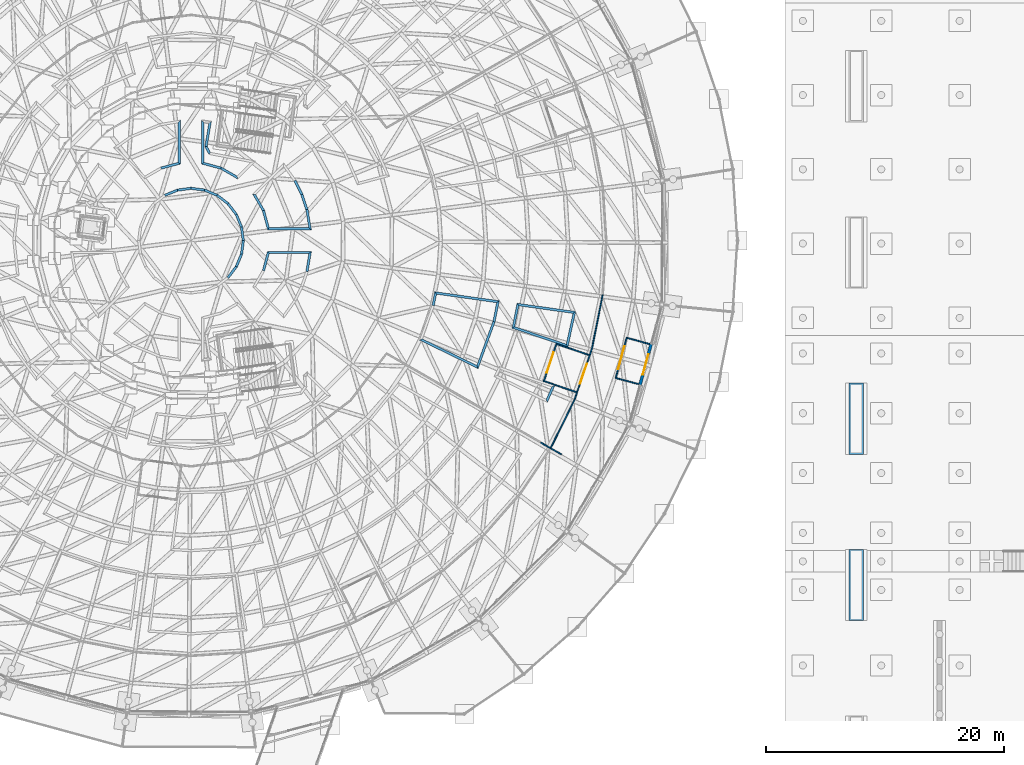
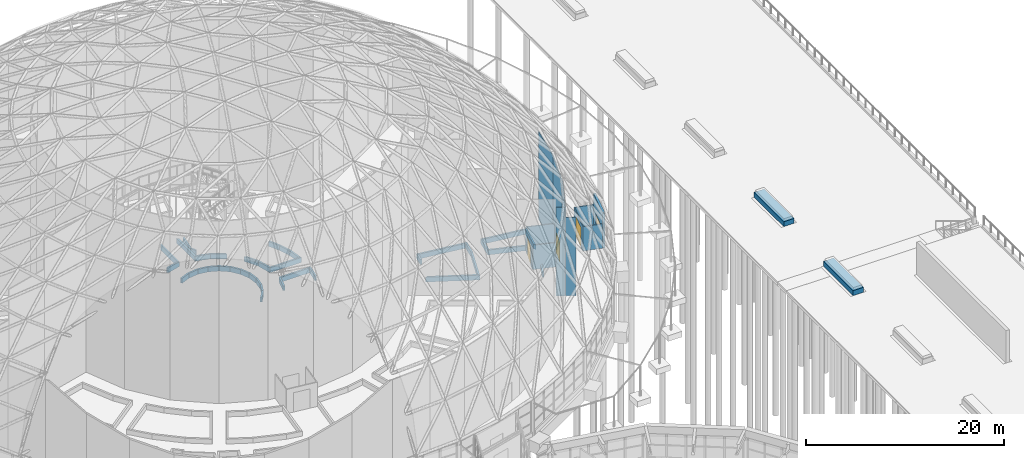
# One storey, part 177 of 226: 51 walls, 4 doors, 4 openings.
"""IFC4 building model written with IfcOpenShell, lengths in metres."""

from ifc_helpers import new_model, si_unit, direction, frame, frame_2d, origin, place, context, subcontext, project, spatial, polyline, rectangle, outline, extrude, material, layer, layer_set, type_object, element, fill, save


model = new_model("IFC4")

# Units and contexts
model_context = context("Model", 3, precision=1e-05, world=origin(), true_north=direction((0.0, 1.0)))
body_context = subcontext(model_context, "Body", "Model", "MODEL_VIEW")
ifc_project = project(units=[si_unit("LENGTHUNIT", "METRE"), si_unit("AREAUNIT", "SQUARE_METRE"), si_unit("VOLUMEUNIT", "CUBIC_METRE"), si_unit("PLANEANGLEUNIT", "RADIAN"), si_unit("MASSUNIT", "GRAM", prefix="KILO")], contexts=[model_context])

# Site, building, storey
site_placement = place(None, origin())
site = spatial("IfcSite", under=ifc_project, at=site_placement, CompositionType="ELEMENT")
building_placement = place(site_placement, origin())
building = spatial("IfcBuilding", under=site, at=building_placement, Name="Ceibo Conservatory and Research Tower", CompositionType="ELEMENT")
storey_placement = place(building_placement, origin())
storey = spatial("IfcBuildingStorey", under=building, at=storey_placement, Name="L00", CompositionType="ELEMENT", Elevation=0.0)

# Wall
ifc_material_1 = material(Name="Aluminium and glass", Category="aluminium")
ifc_layer_1 = layer(ifc_material_1, 0.10009765625)
ifc_layer_set_1 = layer_set([ifc_layer_1], Name="Aluminium and glass")
wall_type_1 = type_object("IfcWallType", Name="Airlock screen wall 100", PredefinedType="PARTITIONING", material=ifc_layer_set_1)
wall_1_placement = place(storey_placement, frame((193.680419921875, 95.913330078125, 0.0), z_axis=(0.0, 0.0, 1.0), x_axis=(-0.964806067599, 0.262962453449, 0.0)))
element("IfcWall", 1, at=wall_1_placement, inside=storey, type_object=wall_type_1, Name="Vestibule wall A-VW23", PredefinedType="PARTITIONING", context=body_context, shape_type="SweptSolid", body=[
    extrude(outline(polyline([(0.0, -0.050048828125), (1.94970703125, -0.050048828125), (2.0498046875, 0.050048828125), (0.0, 0.050048828125), (0.0, -0.050048828125)])), origin(), (0.0, 0.0, 1.0), 3.0),
])

# Wall, opening, door
wall_2_placement = place(storey_placement, frame((191.7509765625, 96.439208984375, 0.0), z_axis=(0.0, 0.0, 1.0), x_axis=(0.262963948701, 0.96480566006, 0.0)))
wall_2 = element("IfcWall", 2, at=wall_2_placement, inside=storey, type_object=wall_type_1, Name="Vestibule wall A-VW23", PredefinedType="PARTITIONING", context=body_context, shape_type="SweptSolid", body=[
    extrude(outline(polyline([(0.050048828125, -0.050048828125), (3.4501953125, -0.050048828125), (3.55029296875, 0.050048828125), (-0.050048828125, 0.050048828125), (0.050048828125, -0.050048828125)])), origin(), (0.0, 0.0, 1.0), 3.0),
])
opening_1_placement = place(wall_2_placement, frame((0.75, 0.0, 0.0)))
opening_1 = element("IfcOpeningElement", 3, at=opening_1_placement, cuts=wall_2, Name="Opening A-VD23", PredefinedType="OPENING", context=body_context, shape_type="SweptSolid", body=[
    extrude(rectangle(XDim=2.0, YDim=2.39990234375, at=frame_2d((1.0, 1.199951171875))), frame((0.0, 0.06005859375, 0.0), z_axis=(0.0, -1.0, 0.0), x_axis=(1.0, 0.0, 0.0)), (0.0, 0.0, 1.0), 0.1201171875),
])
door_type_1 = type_object("IfcDoorType", Name="Gallery sliding door 2000x2400", OperationType="DOUBLE_DOOR_SLIDING", PredefinedType="DOOR", material=ifc_material_1)
door_1_placement = place(opening_1_placement, origin())
door_1 = element("IfcDoor", 4, at=door_1_placement, inside=storey, type_object=door_type_1, Name="Vestibule door A-VD23", OperationType="DOUBLE_DOOR_SLIDING", OverallHeight=2.39990234375, OverallWidth=2.0, PredefinedType="DOOR", context=body_context, shape_type="SweptSolid", body=[
    extrude(rectangle(XDim=2.0, YDim=2.39990234375, at=frame_2d((1.0, 1.199951171875))), frame((0.0, 0.02490234375, 0.0), z_axis=(0.0, -1.0, 0.0), x_axis=(1.0, 0.0, 0.0)), (0.0, 0.0, 1.0), 0.050048828125),
])
fill(opening_1, door_1)

# Walls
wall_3_placement = place(storey_placement, frame((192.67138671875, 99.816162109375, 0.0), z_axis=(0.0, 0.0, 1.0), x_axis=(0.964783536349, -0.26304510638, 0.0)))
element("IfcWall", 5, at=wall_3_placement, inside=storey, type_object=wall_type_1, Name="Vestibule wall A-VW23", PredefinedType="PARTITIONING", context=body_context, shape_type="SweptSolid", body=[
    extrude(outline(polyline([(0.050048828125, -0.050048828125), (2.000244140625, -0.050048828125), (2.000244140625, 0.050048828125), (-0.050048828125, 0.050048828125), (0.050048828125, -0.050048828125)])), origin(), (0.0, 0.0, 1.0), 3.0),
])
wall_4_placement = place(storey_placement, frame((186.267578125, 90.525146484375, 0.0), z_axis=(0.0, 0.0, 1.0), x_axis=(0.442293661028, 0.896870290184, 0.0)))
element("IfcWall", 6, at=wall_4_placement, inside=storey, type_object=wall_type_1, Name="Glazed partition O", PredefinedType="PARTITIONING", context=body_context, shape_type="SweptSolid", body=[
    extrude(outline(polyline([(-0.003173828125, -0.050048828125), (4.57470703125, -0.050048828125), (4.568359375, 0.050048828125), (0.003173828125, 0.050048828125), (-0.003173828125, -0.050048828125)])), origin(), (0.0, 0.0, 1.0), 10.841552734375),
])

# Wall, opening, door
wall_5_placement = place(storey_placement, frame((188.28955078125, 94.625244140625, 0.0), z_axis=(0.0, 0.0, 1.0), x_axis=(0.321429748592, 0.946933427818, 0.0)))
wall_5 = element("IfcWall", 7, at=wall_5_placement, inside=storey, type_object=wall_type_1, Name="Glazed partition O", PredefinedType="PARTITIONING", context=body_context, shape_type="SweptSolid", body=[
    extrude(outline(polyline([(-0.003173828125, -0.050048828125), (4.574951171875, -0.050048828125), (4.568603515625, 0.050048828125), (0.003173828125, 0.050048828125), (-0.003173828125, -0.050048828125)])), origin(), (0.0, 0.0, 1.0), 10.84130859375),
])
opening_2_placement = place(wall_5_placement, frame((1.3857421875, 0.0, 0.0)))
opening_2 = element("IfcOpeningElement", 8, at=opening_2_placement, cuts=wall_5, Name="Opening A-AL11", PredefinedType="OPENING", context=body_context, shape_type="SweptSolid", body=[
    extrude(rectangle(XDim=1.800048828125, YDim=2.39990234375, at=frame_2d((0.89990234375, 1.199951171875))), frame((0.0, 0.06005859375, 0.0), z_axis=(0.0, -1.0, 0.0), x_axis=(1.0, 0.0, 0.0)), (0.0, 0.0, 1.0), 0.1201171875),
])
door_type_2 = type_object("IfcDoorType", Name="Glass sliding door 1800x2400", OperationType="DOUBLE_DOOR_SLIDING", PredefinedType="DOOR", material=ifc_material_1)
door_2_placement = place(opening_2_placement, origin())
door_2 = element("IfcDoor", 9, at=door_2_placement, inside=storey, type_object=door_type_2, Name="Airlock door A-AL11", OperationType="DOUBLE_DOOR_SLIDING", OverallHeight=2.39990234375, OverallWidth=1.800048828125, PredefinedType="DOOR", context=body_context, shape_type="SweptSolid", body=[
    extrude(rectangle(XDim=1.800048828125, YDim=2.39990234375, at=frame_2d((0.89990234375, 1.199951171875))), frame((0.0, 0.02490234375, 0.0), z_axis=(0.0, -1.0, 0.0), x_axis=(1.0, 0.0, 0.0)), (0.0, 0.0, 1.0), 0.050048828125),
])
fill(opening_2, door_2)

# Walls
wall_6_placement = place(storey_placement, frame((189.759033203125, 98.954345703125, 0.0), z_axis=(0.0, 0.0, 1.0), x_axis=(0.195078787454, 0.9807875747, 0.0)))
element("IfcWall", 10, at=wall_6_placement, inside=storey, type_object=wall_type_1, Name="Glazed partition O", PredefinedType="PARTITIONING", context=body_context, shape_type="SweptSolid", body=[
    extrude(outline(polyline([(-0.003173828125, -0.050048828125), (4.574951171875, -0.050048828125), (4.568603515625, 0.050048828125), (0.003173828125, 0.050048828125), (-0.003173828125, -0.050048828125)])), origin(), (0.0, 0.0, 1.0), 10.841552734375),
])
wall_7_placement = place(storey_placement, frame((185.44482421875, 91.0, 0.0), z_axis=(0.0, 0.0, 1.0), x_axis=(0.866013897511, -0.50001992892, 0.0)))
element("IfcWall", 11, at=wall_7_placement, inside=storey, type_object=wall_type_1, Name="Glazed partition R", PredefinedType="PARTITIONING", context=body_context, shape_type="SweptSolid", body=[
    extrude(rectangle(XDim=0.89990234375, YDim=0.10009765625, at=frame_2d((0.449951171875, 0.0))), origin(), (0.0, 0.0, 1.0), 10.897705078125),
])
wall_8_placement = place(storey_placement, frame((186.26904296875, 90.524169921875, 0.0), z_axis=(0.0, 0.0, 1.0), x_axis=(0.866042106815, -0.499971068387, 0.0)))
element("IfcWall", 12, at=wall_8_placement, inside=storey, type_object=wall_type_1, Name="Glazed partition R", PredefinedType="PARTITIONING", context=body_context, shape_type="SweptSolid", body=[
    extrude(rectangle(XDim=1.04833984375, YDim=0.10009765625, at=frame_2d((0.524169921875, 0.0))), origin(), (0.0, 0.0, 1.0), 9.62109375),
])
for number, where, z_axis, x_axis, name in (
    (13, (188.446533203125, 95.243408203125, 0.0), (0.0, 0.0, 1.0), (-0.946938665435, 0.321414318139, 0.0), "Glazed partition A"),
    (14, (189.50732421875, 98.368408203125, 0.0), (0.0, 0.0, 1.0), (-0.946938665435, 0.321414318139, 0.0), "Glazed partition A"),
):
    element("IfcWall", number, at=place(storey_placement, frame(where, z_axis=z_axis, x_axis=x_axis)), inside=storey, type_object=wall_type_1, Name=name, PredefinedType="PARTITIONING", context=body_context, shape_type="SweptSolid", body=[
        extrude(rectangle(XDim=2.849853515625, YDim=0.10009765625, at=frame_2d((1.4248046875, 0.0))), origin(), (0.0, 0.0, 1.0), 3.0),
    ])

# Wall, opening, door
wall_9_placement = place(storey_placement, frame((185.684326171875, 96.128173828125, 0.0), z_axis=(0.0, 0.0, 1.0), x_axis=(0.321457314446, 0.94692407034, 0.0)))
wall_9 = element("IfcWall", 15, at=wall_9_placement, inside=storey, type_object=wall_type_1, Name="Glazed partition A", PredefinedType="PARTITIONING", context=body_context, shape_type="SweptSolid", body=[
    extrude(rectangle(XDim=3.400146484375, YDim=0.10009765625, at=frame_2d((1.7001953125, 0.0))), origin(), (0.0, 0.0, 1.0), 3.0),
])
opening_3_placement = place(wall_9_placement, frame((0.800048828125, 0.0, 0.0)))
opening_3 = element("IfcOpeningElement", 16, at=opening_3_placement, cuts=wall_9, Name="Opening A-AL12", PredefinedType="OPENING", context=body_context, shape_type="SweptSolid", body=[
    extrude(rectangle(XDim=1.800048828125, YDim=2.39990234375, at=frame_2d((0.89990234375, 1.199951171875))), frame((0.0, 0.06005859375, 0.0), z_axis=(0.0, -1.0, 0.0), x_axis=(1.0, 0.0, 0.0)), (0.0, 0.0, 1.0), 0.1201171875),
])
door_3_placement = place(opening_3_placement, origin())
door_3 = element("IfcDoor", 17, at=door_3_placement, inside=storey, type_object=door_type_2, Name="Airlock door A-AL12", OperationType="DOUBLE_DOOR_SLIDING", OverallHeight=2.39990234375, OverallWidth=1.800048828125, PredefinedType="DOOR", context=body_context, shape_type="SweptSolid", body=[
    extrude(rectangle(XDim=1.800048828125, YDim=2.39990234375, at=frame_2d((0.89990234375, 1.199951171875))), frame((0.0, 0.02490234375, 0.0), z_axis=(0.0, -1.0, 0.0), x_axis=(1.0, 0.0, 0.0)), (0.0, 0.0, 1.0), 0.050048828125),
])
fill(opening_3, door_3)

# Walls
ifc_material_2 = material(Name="Masonry blockwork", Category="masonry")
ifc_layer_2 = layer(ifc_material_2, 0.199951171875)
ifc_layer_set_2 = layer_set([ifc_layer_2], Name="Masonry blockwork")
wall_type_2 = type_object("IfcWallType", Name="Dome planter wall 200", PredefinedType="SOLIDWALL", material=ifc_layer_set_2)
wall_10_placement = place(storey_placement, frame((159.110595703125, 104.889404296875, 0.0), z_axis=(0.0, 0.0, 1.0), x_axis=(0.608806340411, 0.793318876541, 0.0)))
element("IfcWall", 18, at=wall_10_placement, inside=storey, type_object=wall_type_2, Name="Planter wall A-PB001", PredefinedType="SOLIDWALL", context=body_context, shape_type="SweptSolid", body=[
    extrude(outline(polyline([(-0.01318359375, -0.10009765625), (1.16162109375, -0.10009765625), (1.13525390625, 0.10009765625), (0.01318359375, 0.10009765625), (-0.01318359375, -0.10009765625)])), origin(), (0.0, 0.0, 1.0), 0.60009765625),
])
wall_11_placement = place(storey_placement, frame((159.809814453125, 105.800537109375, 0.0), z_axis=(0.0, 0.0, 1.0), x_axis=(0.382727364981, 0.923861333802, 0.0)))
element("IfcWall", 19, at=wall_11_placement, inside=storey, type_object=wall_type_2, Name="Planter wall A-PB001", PredefinedType="SOLIDWALL", context=body_context, shape_type="SweptSolid", body=[
    extrude(outline(polyline([(-0.01318359375, -0.10009765625), (1.161376953125, -0.10009765625), (1.135009765625, 0.10009765625), (0.01318359375, 0.10009765625), (-0.01318359375, -0.10009765625)])), origin(), (0.0, 0.0, 1.0), 0.60009765625),
])
for number, where, z_axis, x_axis, name in (
    (20, (160.249267578125, 106.861328125, 0.0), (0.0, 0.0, 1.0), (0.130520498525, 0.991445610946, 0.0), "Planter wall A-PB001"),
    (21, (160.399169921875, 108.0, 0.0), (0.0, 0.0, 1.0), (-0.130520498525, 0.991445610946, 0.0), "Planter wall A-PB001"),
):
    element("IfcWall", number, at=place(storey_placement, frame(where, z_axis=z_axis, x_axis=x_axis)), inside=storey, type_object=wall_type_2, Name=name, PredefinedType="SOLIDWALL", context=body_context, shape_type="SweptSolid", body=[
        extrude(outline(polyline([(-0.01318359375, -0.10009765625), (1.16162109375, -0.10009765625), (1.13525390625, 0.10009765625), (0.01318359375, 0.10009765625), (-0.01318359375, -0.10009765625)])), origin(), (0.0, 0.0, 1.0), 0.60009765625),
    ])
wall_12_placement = place(storey_placement, frame((160.249267578125, 109.138671875, 0.0), z_axis=(0.0, 0.0, 1.0), x_axis=(-0.382727364981, 0.923861333802, 0.0)))
element("IfcWall", 22, at=wall_12_placement, inside=storey, type_object=wall_type_2, Name="Planter wall A-PB001", PredefinedType="SOLIDWALL", context=body_context, shape_type="SweptSolid", body=[
    extrude(outline(polyline([(-0.01318359375, -0.10009765625), (1.161376953125, -0.10009765625), (1.135009765625, 0.10009765625), (0.01318359375, 0.10009765625), (-0.01318359375, -0.10009765625)])), origin(), (0.0, 0.0, 1.0), 0.60009765625),
])
for number, where, z_axis, x_axis, name in (
    (23, (159.809814453125, 110.199462890625, 0.0), (0.0, 0.0, 1.0), (-0.608806340411, 0.793318876541, 0.0), "Planter wall A-PB001"),
    (24, (159.110595703125, 111.110595703125, 0.0), (0.0, 0.0, 1.0), (-0.793318876541, 0.608806340411, 0.0), "Planter wall A-PB001"),
):
    element("IfcWall", number, at=place(storey_placement, frame(where, z_axis=z_axis, x_axis=x_axis)), inside=storey, type_object=wall_type_2, Name=name, PredefinedType="SOLIDWALL", context=body_context, shape_type="SweptSolid", body=[
        extrude(outline(polyline([(-0.01318359375, -0.10009765625), (1.16162109375, -0.10009765625), (1.13525390625, 0.10009765625), (0.01318359375, 0.10009765625), (-0.01318359375, -0.10009765625)])), origin(), (0.0, 0.0, 1.0), 0.60009765625),
    ])
wall_13_placement = place(storey_placement, frame((158.199462890625, 111.809814453125, 0.0), z_axis=(0.0, 0.0, 1.0), x_axis=(-0.923861333802, 0.382727364981, 0.0)))
element("IfcWall", 25, at=wall_13_placement, inside=storey, type_object=wall_type_2, Name="Planter wall A-PB001", PredefinedType="SOLIDWALL", context=body_context, shape_type="SweptSolid", body=[
    extrude(outline(polyline([(-0.01318359375, -0.10009765625), (1.161376953125, -0.10009765625), (1.135009765625, 0.10009765625), (0.01318359375, 0.10009765625), (-0.01318359375, -0.10009765625)])), origin(), (0.0, 0.0, 1.0), 0.60009765625),
])
for number, where, z_axis, x_axis, name in (
    (26, (157.138671875, 112.249267578125, 0.0), (0.0, 0.0, 1.0), (-0.991445610946, 0.130520498525, 0.0), "Planter wall A-PB001"),
    (27, (156.0, 112.399169921875, 0.0), (0.0, 0.0, 1.0), (-0.991445610946, -0.130520498525, 0.0), "Planter wall A-PB001"),
):
    element("IfcWall", number, at=place(storey_placement, frame(where, z_axis=z_axis, x_axis=x_axis)), inside=storey, type_object=wall_type_2, Name=name, PredefinedType="SOLIDWALL", context=body_context, shape_type="SweptSolid", body=[
        extrude(outline(polyline([(-0.01318359375, -0.10009765625), (1.16162109375, -0.10009765625), (1.13525390625, 0.10009765625), (0.01318359375, 0.10009765625), (-0.01318359375, -0.10009765625)])), origin(), (0.0, 0.0, 1.0), 0.60009765625),
    ])
wall_14_placement = place(storey_placement, frame((154.861328125, 112.249267578125, 0.0), z_axis=(0.0, 0.0, 1.0), x_axis=(-0.923861333802, -0.382727364981, 0.0)))
element("IfcWall", 28, at=wall_14_placement, inside=storey, type_object=wall_type_2, Name="Planter wall A-PB001", PredefinedType="SOLIDWALL", context=body_context, shape_type="SweptSolid", body=[
    extrude(outline(polyline([(-0.01318359375, -0.10009765625), (1.161376953125, -0.10009765625), (1.135009765625, 0.10009765625), (0.01318359375, 0.10009765625), (-0.01318359375, -0.10009765625)])), origin(), (0.0, 0.0, 1.0), 0.60009765625),
])
wall_15_placement = place(storey_placement, frame((161.310791015625, 111.896728515625, 0.0), z_axis=(0.0, 0.0, 1.0), x_axis=(0.498233166032, -0.867043085588, 0.0)))
element("IfcWall", 29, at=wall_15_placement, inside=storey, type_object=wall_type_2, Name="Planter wall A-PB002", PredefinedType="SOLIDWALL", context=body_context, shape_type="SweptSolid", body=[
    extrude(outline(polyline([(-0.07666015625, -0.10009765625), (1.56787109375, -0.10009765625), (1.59375, 0.10009765625), (0.07666015625, 0.10009765625), (-0.07666015625, -0.10009765625)])), origin(), (0.0, 0.0, 1.0), 0.60009765625),
])
wall_16_placement = place(storey_placement, frame((162.098388671875, 110.526123046875, 0.0), z_axis=(0.0, 0.0, 1.0), x_axis=(0.260842897623, -0.965381262901, 0.0)))
element("IfcWall", 30, at=wall_16_placement, inside=storey, type_object=wall_type_2, Name="Planter wall A-PB002", PredefinedType="SOLIDWALL", context=body_context, shape_type="SweptSolid", body=[
    extrude(outline(polyline([(0.012939453125, -0.10009765625), (1.657470703125, -0.10009765625), (1.504150390625, 0.10009765625), (-0.012939453125, 0.10009765625), (0.012939453125, -0.10009765625)])), origin(), (0.0, 0.0, 1.0), 0.60009765625),
])
wall_17_placement = place(storey_placement, frame((162.5107421875, 109.0, 0.0), z_axis=(0.0, 0.0, 1.0), x_axis=(1.0, 0.0, 0.0)))
element("IfcWall", 31, at=wall_17_placement, inside=storey, type_object=wall_type_2, Name="Planter wall A-PB002", PredefinedType="SOLIDWALL", context=body_context, shape_type="SweptSolid", body=[
    extrude(outline(polyline([(-0.07666015625, -0.10009765625), (3.630126953125, -0.10009765625), (3.394287109375, 0.10009765625), (0.07666015625, 0.10009765625), (-0.07666015625, -0.10009765625)])), origin(), (0.0, 0.0, 1.0), 0.60009765625),
])
wall_18_placement = place(storey_placement, frame((166.02294921875, 109.0, 0.0), z_axis=(0.0, 0.0, 1.0), x_axis=(-0.163552735125, 0.986534592821, 0.0)))
element("IfcWall", 32, at=wall_18_placement, inside=storey, type_object=wall_type_2, Name="Planter wall A-PB002", PredefinedType="SOLIDWALL", context=body_context, shape_type="SweptSolid", body=[
    extrude(outline(polyline([(-0.117919921875, -0.10009765625), (1.6455078125, -0.10009765625), (1.62939453125, 0.10009765625), (0.117919921875, 0.10009765625), (-0.117919921875, -0.10009765625)])), origin(), (0.0, 0.0, 1.0), 0.60009765625),
])
wall_19_placement = place(storey_placement, frame((165.755126953125, 110.615478515625, 0.0), z_axis=(0.0, 0.0, 1.0), x_axis=(-0.321385230641, 0.94694853795, 0.0)))
element("IfcWall", 33, at=wall_19_placement, inside=storey, type_object=wall_type_2, Name="Planter wall A-PB002", PredefinedType="SOLIDWALL", context=body_context, shape_type="SweptSolid", body=[
    extrude(outline(polyline([(-0.008056640625, -0.10009765625), (1.326171875, -0.10009765625), (1.31298828125, 0.10009765625), (0.008056640625, 0.10009765625), (-0.008056640625, -0.10009765625)])), origin(), (0.0, 0.0, 1.0), 0.60009765625),
])
wall_20_placement = place(storey_placement, frame((165.3310546875, 111.864990234375, 0.0), z_axis=(0.0, 0.0, 1.0), x_axis=(-0.442396458612, 0.896819587993, 0.0)))
element("IfcWall", 34, at=wall_20_placement, inside=storey, type_object=wall_type_2, Name="Planter wall A-PB002", PredefinedType="SOLIDWALL", context=body_context, shape_type="SweptSolid", body=[
    extrude(outline(polyline([(-0.006591796875, -0.10009765625), (1.32763671875, -0.10009765625), (1.3115234375, 0.10009765625), (0.006591796875, 0.10009765625), (-0.006591796875, -0.10009765625)])), origin(), (0.0, 0.0, 1.0), 0.60009765625),
])
wall_21_placement = place(storey_placement, frame((157.0, 114.5107421875, 0.0), z_axis=(0.0, 0.0, 1.0), x_axis=(0.965381262901, -0.260842897623, 0.0)))
element("IfcWall", 35, at=wall_21_placement, inside=storey, type_object=wall_type_2, Name="Planter wall A-PB003", PredefinedType="SOLIDWALL", context=body_context, shape_type="SweptSolid", body=[
    extrude(outline(polyline([(-0.07666015625, -0.10009765625), (1.56787109375, -0.10009765625), (1.59375, 0.10009765625), (0.07666015625, 0.10009765625), (-0.07666015625, -0.10009765625)])), origin(), (0.0, 0.0, 1.0), 0.60009765625),
])
wall_22_placement = place(storey_placement, frame((158.526123046875, 114.098388671875, 0.0), z_axis=(0.0, 0.0, 1.0), x_axis=(0.867043085588, -0.498233166032, 0.0)))
element("IfcWall", 36, at=wall_22_placement, inside=storey, type_object=wall_type_2, Name="Planter wall A-PB003", PredefinedType="SOLIDWALL", context=body_context, shape_type="SweptSolid", body=[
    extrude(outline(polyline([(0.012939453125, -0.10009765625), (1.657470703125, -0.10009765625), (1.504150390625, 0.10009765625), (-0.012939453125, 0.10009765625), (0.012939453125, -0.10009765625)])), origin(), (0.0, 0.0, 1.0), 0.60009765625),
])
wall_23_placement = place(storey_placement, frame((157.571533203125, 115.340087890625, 0.0), z_axis=(0.0, 0.0, 1.0), x_axis=(-0.477633805757, 0.878559017709, 0.0)))
element("IfcWall", 37, at=wall_23_placement, inside=storey, type_object=wall_type_2, Name="Planter wall A-PB003", PredefinedType="SOLIDWALL", context=body_context, shape_type="SweptSolid", body=[
    extrude(outline(polyline([(0.047119140625, -0.10009765625), (0.61181640625, -0.10009765625), (0.68017578125, 0.10009765625), (-0.047119140625, 0.10009765625), (0.047119140625, -0.10009765625)])), origin(), (0.0, 0.0, 1.0), 0.60009765625),
])
wall_24_placement = place(storey_placement, frame((157.262939453125, 115.90771484375, 0.0), z_axis=(0.0, 0.0, 1.0), x_axis=(0.161912456712, 0.986805125829, 0.0)))
element("IfcWall", 38, at=wall_24_placement, inside=storey, type_object=wall_type_2, Name="Planter wall A-PB003", PredefinedType="SOLIDWALL", context=body_context, shape_type="SweptSolid", body=[
    extrude(outline(polyline([(0.0341796875, -0.10009765625), (2.173828125, -0.10009765625), (1.966796875, 0.10009765625), (-0.0341796875, 0.10009765625), (0.0341796875, -0.10009765625)])), origin(), (0.0, 0.0, 1.0), 0.60009765625),
])
wall_25_placement = place(storey_placement, frame((157.0, 118.02734375, 0.0), z_axis=(0.0, 0.0, 1.0), x_axis=(0.0, -1.0, 0.0)))
element("IfcWall", 39, at=wall_25_placement, inside=storey, type_object=wall_type_2, Name="Planter wall A-PB003", PredefinedType="SOLIDWALL", context=body_context, shape_type="SweptSolid", body=[
    extrude(outline(polyline([(-0.113525390625, -0.10009765625), (3.59326171875, -0.10009765625), (3.43994140625, 0.10009765625), (0.113525390625, 0.10009765625), (-0.113525390625, -0.10009765625)])), origin(), (0.0, 0.0, 1.0), 0.60009765625),
])
wall_26_placement = place(storey_placement, frame((153.473876953125, 114.098388671875, 0.0), z_axis=(0.0, 0.0, 1.0), x_axis=(0.965381262901, 0.260842897623, 0.0)))
element("IfcWall", 40, at=wall_26_placement, inside=storey, type_object=wall_type_2, Name="Planter wall A-PB004", PredefinedType="SOLIDWALL", context=body_context, shape_type="SweptSolid", body=[
    extrude(outline(polyline([(0.012939453125, -0.10009765625), (1.657470703125, -0.10009765625), (1.504150390625, 0.10009765625), (-0.012939453125, 0.10009765625), (0.012939453125, -0.10009765625)])), origin(), (0.0, 0.0, 1.0), 0.60009765625),
])
wall_27_placement = place(storey_placement, frame((155.0, 114.5107421875, 0.0), z_axis=(0.0, 0.0, 1.0), x_axis=(0.0, 1.0, 0.0)))
element("IfcWall", 41, at=wall_27_placement, inside=storey, type_object=wall_type_2, Name="Planter wall A-PB004", PredefinedType="SOLIDWALL", context=body_context, shape_type="SweptSolid", body=[
    extrude(outline(polyline([(-0.07666015625, -0.10009765625), (3.630126953125, -0.10009765625), (3.394287109375, 0.10009765625), (0.07666015625, 0.10009765625), (-0.07666015625, -0.10009765625)])), origin(), (0.0, 0.0, 1.0), 0.60009765625),
])
wall_28_placement = place(storey_placement, frame((165.755126953125, 105.384521484375, 0.0), z_axis=(0.0, 0.0, 1.0), x_axis=(0.163552735125, 0.986534592821, 0.0)))
element("IfcWall", 42, at=wall_28_placement, inside=storey, type_object=wall_type_2, Name="Planter wall A-PB009", PredefinedType="SOLIDWALL", context=body_context, shape_type="SweptSolid", body=[
    extrude(outline(polyline([(-0.008056640625, -0.10009765625), (1.75537109375, -0.10009765625), (1.51953125, 0.10009765625), (0.008056640625, 0.10009765625), (-0.008056640625, -0.10009765625)])), origin(), (0.0, 0.0, 1.0), 0.60009765625),
])
wall_29_placement = place(storey_placement, frame((166.02294921875, 107.0, 0.0), z_axis=(0.0, 0.0, 1.0), x_axis=(-1.0, 0.0, 0.0)))
element("IfcWall", 43, at=wall_29_placement, inside=storey, type_object=wall_type_2, Name="Planter wall A-PB009", PredefinedType="SOLIDWALL", context=body_context, shape_type="SweptSolid", body=[
    extrude(outline(polyline([(-0.117919921875, -0.10009765625), (3.5888671875, -0.10009765625), (3.435546875, 0.10009765625), (0.117919921875, 0.10009765625), (-0.117919921875, -0.10009765625)])), origin(), (0.0, 0.0, 1.0), 0.60009765625),
])
wall_30_placement = place(storey_placement, frame((162.5107421875, 107.0, 0.0), z_axis=(0.0, 0.0, 1.0), x_axis=(-0.260842897623, -0.965381262901, 0.0)))
element("IfcWall", 44, at=wall_30_placement, inside=storey, type_object=wall_type_2, Name="Planter wall A-PB009", PredefinedType="SOLIDWALL", context=body_context, shape_type="SweptSolid", body=[
    extrude(outline(polyline([(-0.07666015625, -0.10009765625), (1.56787109375, -0.10009765625), (1.59375, 0.10009765625), (0.07666015625, 0.10009765625), (-0.07666015625, -0.10009765625)])), origin(), (0.0, 0.0, 1.0), 0.60009765625),
])
wall_31_placement = place(storey_placement, frame((175.356689453125, 99.671630859375, 0.0), z_axis=(0.0, 0.0, 1.0), x_axis=(0.898806603577, -0.438345399618, 0.0)))
element("IfcWall", 45, at=wall_31_placement, inside=storey, type_object=wall_type_2, Name="Planter wall A-PB020", PredefinedType="SOLIDWALL", context=body_context, shape_type="SweptSolid", body=[
    extrude(outline(polyline([(-0.089599609375, -0.10009765625), (5.39892578125, -0.10009765625), (5.1767578125, 0.10009765625), (0.089599609375, 0.10009765625), (-0.089599609375, -0.10009765625)])), origin(), (0.0, 0.0, 1.0), 0.60009765625),
])
wall_32_placement = place(storey_placement, frame((180.109375, 97.353759765625, 0.0), z_axis=(0.0, 0.0, 1.0), x_axis=(0.342602250049, 0.939480547037, 0.0)))
element("IfcWall", 46, at=wall_32_placement, inside=storey, type_object=wall_type_2, Name="Planter wall A-PB020", PredefinedType="SOLIDWALL", context=body_context, shape_type="SweptSolid", body=[
    extrude(outline(polyline([(-0.111083984375, -0.10009765625), (4.068115234375, -0.10009765625), (4.052978515625, 0.10009765625), (0.111083984375, 0.10009765625), (-0.111083984375, -0.10009765625)])), origin(), (0.0, 0.0, 1.0), 0.60009765625),
])
wall_33_placement = place(storey_placement, frame((181.50048828125, 101.16845703125, 0.0), z_axis=(0.0, 0.0, 1.0), x_axis=(0.1950233842, 0.980798592788, 0.0)))
element("IfcWall", 47, at=wall_33_placement, inside=storey, type_object=wall_type_2, Name="Planter wall A-PB020", PredefinedType="SOLIDWALL", context=body_context, shape_type="SweptSolid", body=[
    extrude(outline(polyline([(-0.007568359375, -0.10009765625), (1.824462890625, -0.10009765625), (1.613037109375, 0.10009765625), (0.007568359375, 0.10009765625), (-0.007568359375, -0.10009765625)])), origin(), (0.0, 0.0, 1.0), 0.60009765625),
])
wall_34_placement = place(storey_placement, frame((181.835693359375, 102.854248046875, 0.0), z_axis=(0.0, 0.0, 1.0), x_axis=(-0.990264125308, 0.139201157067, 0.0)))
element("IfcWall", 48, at=wall_34_placement, inside=storey, type_object=wall_type_2, Name="Planter wall A-PB020", PredefinedType="SOLIDWALL", context=body_context, shape_type="SweptSolid", body=[
    extrude(outline(polyline([(-0.105712890625, -0.10009765625), (5.39111328125, -0.10009765625), (5.2021484375, 0.10009765625), (0.105712890625, 0.10009765625), (-0.105712890625, -0.10009765625)])), origin(), (0.0, 0.0, 1.0), 0.60009765625),
])
wall_35_placement = place(storey_placement, frame((176.590576171875, 103.591552734375, 0.0), z_axis=(0.0, 0.0, 1.0), x_axis=(-0.195023225869, -0.980798624271, 0.0)))
element("IfcWall", 49, at=wall_35_placement, inside=storey, type_object=wall_type_2, Name="Planter wall A-PB020", PredefinedType="SOLIDWALL", context=body_context, shape_type="SweptSolid", body=[
    extrude(outline(polyline([(-0.094482421875, -0.10009765625), (1.066650390625, -0.10009765625), (1.081298828125, 0.10009765625), (0.094482421875, 0.10009765625), (-0.094482421875, -0.10009765625)])), origin(), (0.0, 0.0, 1.0), 0.60009765625),
])
wall_36_placement = place(storey_placement, frame((183.13525390625, 100.689697265625, 0.0), z_axis=(0.0, 0.0, 1.0), x_axis=(0.946924489493, -0.321456079735, 0.0)))
element("IfcWall", 50, at=wall_36_placement, inside=storey, type_object=wall_type_2, Name="Planter wall A-PB021", PredefinedType="SOLIDWALL", context=body_context, shape_type="SweptSolid", body=[
    extrude(outline(polyline([(-0.087646484375, -0.10009765625), (4.884521484375, -0.10009765625), (4.660888671875, 0.10009765625), (0.087646484375, 0.10009765625), (-0.087646484375, -0.10009765625)])), origin(), (0.0, 0.0, 1.0), 0.60009765625),
])
wall_37_placement = place(storey_placement, frame((187.654541015625, 99.155517578125, 0.0), z_axis=(0.0, 0.0, 1.0), x_axis=(0.214083653349, 0.976815330228, 0.0)))
element("IfcWall", 51, at=wall_37_placement, inside=storey, type_object=wall_type_2, Name="Planter wall A-PB021", PredefinedType="SOLIDWALL", context=body_context, shape_type="SweptSolid", body=[
    extrude(outline(polyline([(-0.11181640625, -0.10009765625), (2.96923828125, -0.10009765625), (2.75341796875, 0.10009765625), (0.11181640625, 0.10009765625), (-0.11181640625, -0.10009765625)])), origin(), (0.0, 0.0, 1.0), 0.60009765625),
])
wall_38_placement = place(storey_placement, frame((188.26708984375, 101.950439453125, 0.0), z_axis=(0.0, 0.0, 1.0), x_axis=(-0.990270725939, 0.139154192709, 0.0)))
element("IfcWall", 52, at=wall_38_placement, inside=storey, type_object=wall_type_2, Name="Planter wall A-PB021", PredefinedType="SOLIDWALL", context=body_context, shape_type="SweptSolid", body=[
    extrude(outline(polyline([(-0.10791015625, -0.10009765625), (4.889404296875, -0.10009765625), (4.700439453125, 0.10009765625), (0.10791015625, 0.10009765625), (-0.10791015625, -0.10009765625)])), origin(), (0.0, 0.0, 1.0), 0.60009765625),
])
wall_39_placement = place(storey_placement, frame((183.518798828125, 102.61767578125, 0.0), z_axis=(0.0, 0.0, 1.0), x_axis=(-0.195112905891, -0.980780787921, 0.0)))
element("IfcWall", 53, at=wall_39_placement, inside=storey, type_object=wall_type_2, Name="Planter wall A-PB021", PredefinedType="SOLIDWALL", context=body_context, shape_type="SweptSolid", body=[
    extrude(outline(polyline([(-0.094482421875, -0.10009765625), (2.053466796875, -0.10009765625), (1.878173828125, 0.10009765625), (0.094482421875, 0.10009765625), (-0.094482421875, -0.10009765625)])), origin(), (0.0, 0.0, 1.0), 0.60009765625),
])
wall_40_placement = place(storey_placement, frame((185.94580078125, 94.507080078125, 0.0), z_axis=(0.0, 0.0, 1.0), x_axis=(0.407857098005, 0.913045775198, 0.0)))
element("IfcWall", 54, at=wall_40_placement, inside=storey, type_object=wall_type_2, Name="Planter wall A-PB022", PredefinedType="SOLIDWALL", context=body_context, shape_type="SweptSolid", body=[
    extrude(outline(polyline([(-0.103515625, -0.10009765625), (1.466552734375, -0.10009765625), (1.247314453125, 0.10009765625), (0.103515625, 0.10009765625), (-0.103515625, -0.10009765625)])), origin(), (0.0, 0.0, 1.0), 0.60009765625),
])

# Wall, opening, door
ifc_material_3 = material(Name="Concrete C35/45", Category="concrete")
ifc_layer_3 = layer(ifc_material_3, 0.25)
ifc_layer_set_3 = layer_set([ifc_layer_3], Name="Concrete C35/45")
wall_type_3 = type_object("IfcWallType", Name="Drum door stub wall 250", PredefinedType="SOLIDWALL", material=ifc_layer_set_3)
wall_41_placement = place(storey_placement, frame((193.787841796875, 95.83203125, 0.0), z_axis=(0.0, 0.0, 1.0), x_axis=(0.263048548342, 0.964782597902, 0.0)))
wall_41 = element("IfcWall", 55, at=wall_41_placement, inside=storey, type_object=wall_type_3, Name="Drum door stub wall A-W23", PredefinedType="SOLIDWALL", context=body_context, shape_type="SweptSolid", body=[
    extrude(rectangle(XDim=3.60009765625, YDim=0.25, at=frame_2d((1.800048828125, 0.0))), origin(), (0.0, 0.0, 1.0), 4.338134765625),
])
opening_4_placement = place(wall_41_placement, frame((0.89990234375, 0.0, 0.0)))
opening_4 = element("IfcOpeningElement", 56, at=opening_4_placement, cuts=wall_41, Name="Opening A-D06", PredefinedType="OPENING", context=body_context, shape_type="SweptSolid", body=[
    extrude(rectangle(XDim=1.800048828125, YDim=2.39990234375, at=frame_2d((0.89990234375, 1.199951171875))), frame((0.0, 0.135009765625, 0.0), z_axis=(0.0, -1.0, 0.0), x_axis=(1.0, 0.0, 0.0)), (0.0, 0.0, 1.0), 0.27001953125),
])
door_type_3 = type_object("IfcDoorType", Name="Drum double door 1800x2400", OperationType="DOUBLE_DOOR_SINGLE_SWING", PredefinedType="DOOR", material=ifc_material_1)
door_4_placement = place(opening_4_placement, frame((1.800048828125, 0.0, 0.0), z_axis=(0.0, 0.0, 1.0), x_axis=(-1.0, 0.0, 0.0)))
door_4 = element("IfcDoor", 57, at=door_4_placement, inside=storey, type_object=door_type_3, Name="Drum door A-D06", OperationType="DOUBLE_DOOR_SINGLE_SWING", OverallHeight=2.39990234375, OverallWidth=1.800048828125, PredefinedType="DOOR", context=body_context, shape_type="SweptSolid", body=[
    extrude(rectangle(XDim=1.800048828125, YDim=2.39990234375, at=frame_2d((0.89990234375, 1.199951171875))), frame((0.0, 0.02490234375, 0.0), z_axis=(0.0, -1.0, 0.0), x_axis=(1.0, 0.0, 0.0)), (0.0, 0.0, 1.0), 0.050048828125),
])
fill(opening_4, door_4)

# Walls
ifc_material_4 = material(Name="Concrete C30/37", Category="concrete")
ifc_layer_4 = layer(ifc_material_4, 1.199951171875)
ifc_layer_set_4 = layer_set([ifc_layer_4], Name="Concrete C30/37")
wall_type_4 = type_object("IfcWallType", Name="Planter wall 1200", PredefinedType="PARAPET", material=ifc_layer_set_4)
for number, where, z_axis, x_axis, name in (
    (58, (212.0, 76.0, 0.0), (0.0, 0.0, 1.0), (0.0, 1.0, 0.0), "Planter 5"),
    (59, (212.0, 90.0, 0.0), (0.0, 0.0, 1.0), (0.0, 1.0, 0.0), "Planter 6"),
):
    element("IfcWall", number, at=place(storey_placement, frame(where, z_axis=z_axis, x_axis=x_axis)), inside=storey, type_object=wall_type_4, Name=name, PredefinedType="PARAPET", context=body_context, shape_type="SweptSolid", body=[
        extrude(rectangle(XDim=6.0, YDim=1.199951171875, at=frame_2d((3.0, 0.0))), origin(), (0.0, 0.0, 1.0), 0.60009765625),
    ])

save(model, "model.ifc")
